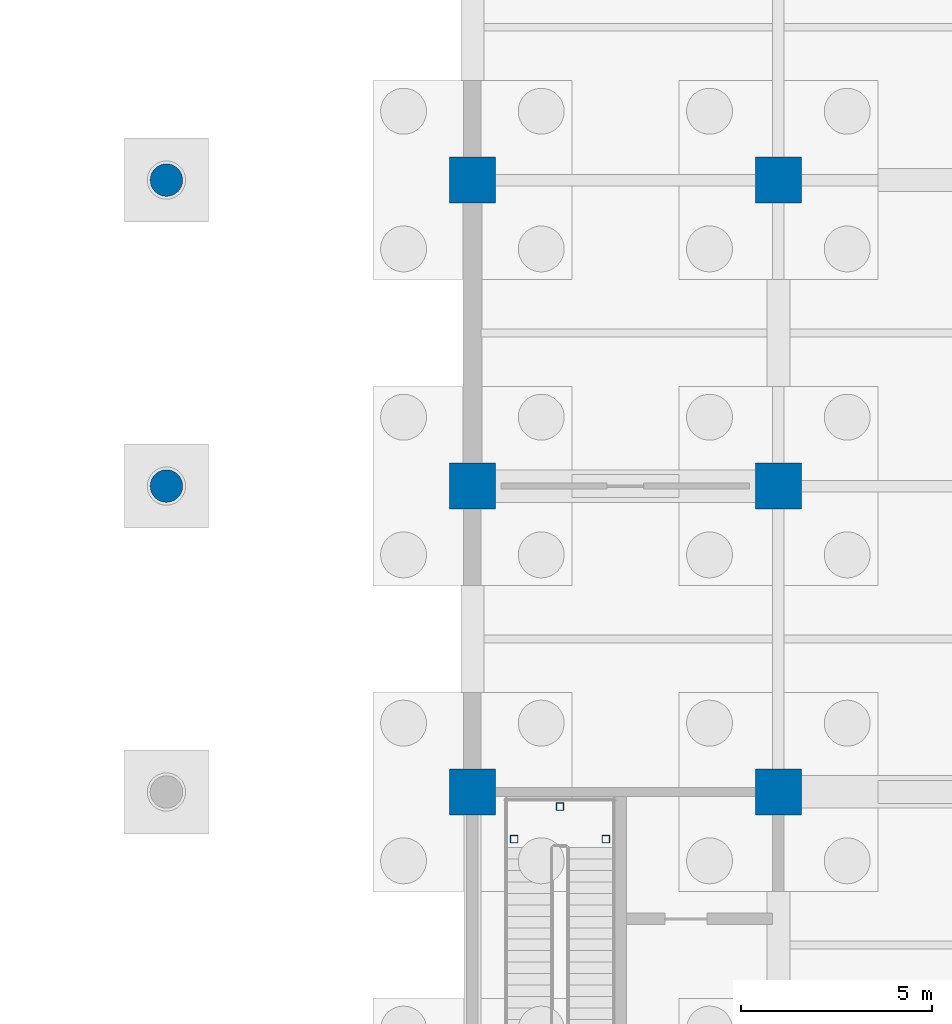
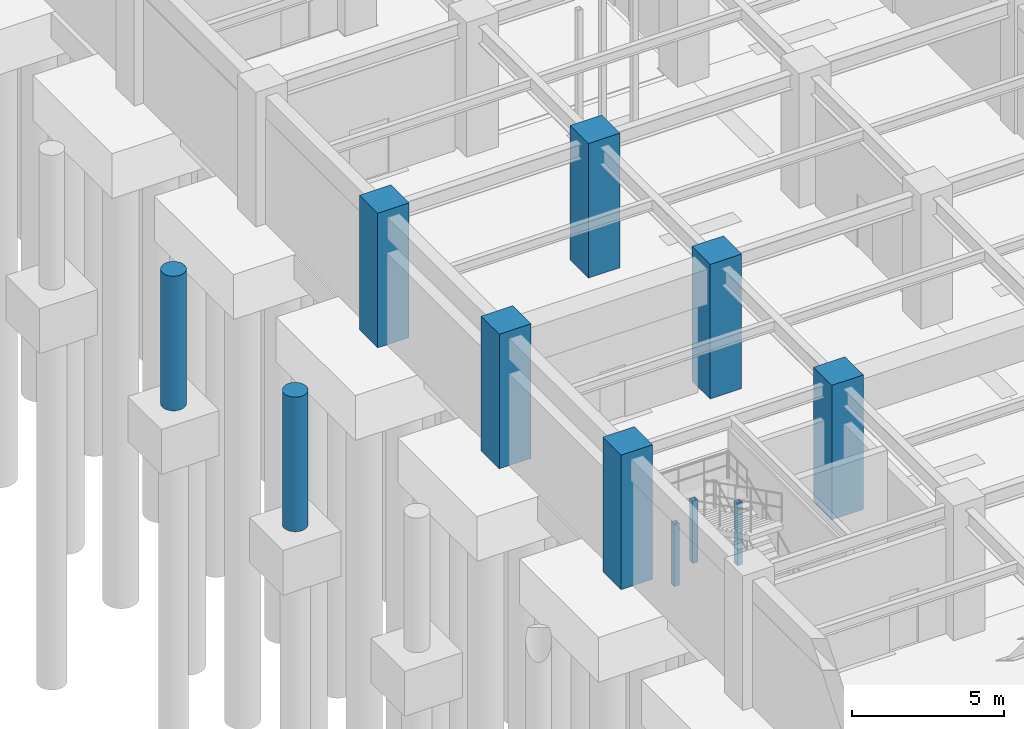
# One storey, part 39 of 97: 11 columns.
"""IFC4 building model written with IfcOpenShell, lengths in metres."""

from ifc_helpers import new_model, si_unit, direction, frame, origin, origin_2d, place, context, subcontext, project, spatial, rectangle, hollow_rectangle, circle, extrude, material, material_profile, profile_set, type_object, element, save


model = new_model("IFC4")

# Units and contexts
model_context = context("Model", 3, precision=1e-05, world=origin(), true_north=direction((0.0, 1.0)))
body_context = subcontext(model_context, "Body", "Model", "MODEL_VIEW")
ifc_project = project(units=[si_unit("LENGTHUNIT", "METRE"), si_unit("AREAUNIT", "SQUARE_METRE"), si_unit("VOLUMEUNIT", "CUBIC_METRE"), si_unit("PLANEANGLEUNIT", "RADIAN"), si_unit("MASSUNIT", "GRAM", prefix="KILO")], contexts=[model_context])

# Site, building, storey
site_placement = place(None, origin())
site = spatial("IfcSite", under=ifc_project, at=site_placement, CompositionType="ELEMENT")
building_placement = place(site_placement, origin())
building = spatial("IfcBuilding", under=site, at=building_placement, Name="Haebicheon Civic Stadium", CompositionType="ELEMENT")
storey_placement = place(building_placement, frame((0.0, 0.0, -5.39990234375)))
storey = spatial("IfcBuildingStorey", under=building, at=storey_placement, Name="B1", CompositionType="ELEMENT", Elevation=-5.39990234375)

# Columns
ifc_material_1 = material(Name="Concrete C40/50", Category="concrete")
ifc_material_profile_1 = material_profile(ifc_material_1, rectangle(XDim=1.199951171875, YDim=1.199951171875, at=origin_2d()), Name="RC-COL-1200x1200")
ifc_profile_set_1 = profile_set([ifc_material_profile_1], Name="Concrete C40/50")
column_type_1 = type_object("IfcColumnType", Name="COL-RC-1200", PredefinedType="COLUMN", material=ifc_profile_set_1)
for number, where, z_axis, x_axis, name in (
    (1, (144.0, 72.0, 0.0), (0.0, 0.0, 1.0), (1.0, 0.0, 0.0), "B1 column 19/K"),
    (2, (144.0, 80.0, 0.0), (0.0, 0.0, 1.0), (1.0, 0.0, 0.0), "B1 column 19/L"),
    (3, (144.0, 88.0, 0.0), (0.0, 0.0, 1.0), (1.0, 0.0, 0.0), "B1 column 19/M"),
    (4, (152.0, 72.0, 0.0), (0.0, 0.0, 1.0), (1.0, 0.0, 0.0), "B1 column 20/K"),
    (5, (152.0, 80.0, 0.0), (0.0, 0.0, 1.0), (1.0, 0.0, 0.0), "B1 column 20/L"),
    (6, (152.0, 88.0, 0.0), (0.0, 0.0, 1.0), (1.0, 0.0, 0.0), "B1 column 20/M"),
):
    element("IfcColumn", number, at=place(storey_placement, frame(where, z_axis=z_axis, x_axis=x_axis)), inside=storey, type_object=column_type_1, material=ifc_profile_set_1, Name=name, PredefinedType="COLUMN", context=body_context, shape_type="SweptSolid", body=[
        extrude(rectangle(XDim=1.199951171875, YDim=1.199951171875, at=origin_2d()), origin(), (0.0, 0.0, 1.0), 5.39990234375),
    ])
ifc_material_2 = material(Name="Concrete C40/50", Category="concrete")
ifc_material_profile_2 = material_profile(ifc_material_2, circle(Radius=0.425048828125, at=origin_2d()), Name="RC-COL-D850")
ifc_profile_set_2 = profile_set([ifc_material_profile_2], Name="Concrete C40/50")
column_type_2 = type_object("IfcColumnType", Name="COL-RC-D850", PredefinedType="COLUMN", material=ifc_profile_set_2)
for number, where, z_axis, x_axis, name in (
    (7, (136.0, 80.0, 0.0), (0.0, 0.0, 1.0), (1.0, 0.0, 0.0), "Bowl/canopy support column 136/80 (B1)"),
    (8, (136.0, 88.0, 0.0), (0.0, 0.0, 1.0), (1.0, 0.0, 0.0), "Bowl/canopy support column 136/88 (B1)"),
):
    element("IfcColumn", number, at=place(storey_placement, frame(where, z_axis=z_axis, x_axis=x_axis)), inside=storey, type_object=column_type_2, material=ifc_profile_set_2, Name=name, PredefinedType="COLUMN", context=body_context, shape_type="SweptSolid", body=[
        extrude(circle(Radius=0.425048828125, at=origin_2d()), origin(), (0.0, 0.0, 1.0), 5.39990234375),
    ])
ifc_material_3 = material(Name="Steel SM355 (S355)", Category="steel")
ifc_material_profile_3 = material_profile(ifc_material_3, hollow_rectangle(XDim=0.199951171875, YDim=0.199951171875, WallThickness=0.009033203125, at=origin_2d()), Name="RHS-200x200x9.0")
ifc_profile_set_3 = profile_set([ifc_material_profile_3], Name="Steel SM355 (S355)")
column_type_3 = type_object("IfcColumnType", Name="COL-ST-RHS200", PredefinedType="COLUMN", material=ifc_profile_set_3)
for number, where, z_axis, x_axis, name in (
    (9, (145.090087890625, 70.77001953125, 0.0), (0.0, 0.0, 1.0), (1.0, 0.0, 0.0), "KC-10 B1 stair half-landing support post A"),
    (10, (147.489990234375, 70.77001953125, 0.0), (0.0, 0.0, 1.0), (1.0, 0.0, 0.0), "KC-10 B1 stair half-landing support post B"),
    (11, (146.2900390625, 71.6201171875, 0.0), (0.0, 0.0, 1.0), (1.0, 0.0, 0.0), "KC-10 B1 stair half-landing support post C"),
):
    element("IfcColumn", number, at=place(storey_placement, frame(where, z_axis=z_axis, x_axis=x_axis)), inside=storey, type_object=column_type_3, material=ifc_profile_set_3, Name=name, PredefinedType="COLUMN", context=body_context, shape_type="SweptSolid", body=[
        extrude(hollow_rectangle(XDim=0.199951171875, YDim=0.199951171875, WallThickness=0.009033203125, at=origin_2d()), origin(), (0.0, 0.0, 1.0), 2.5),
    ])

save(model, "model.ifc")
